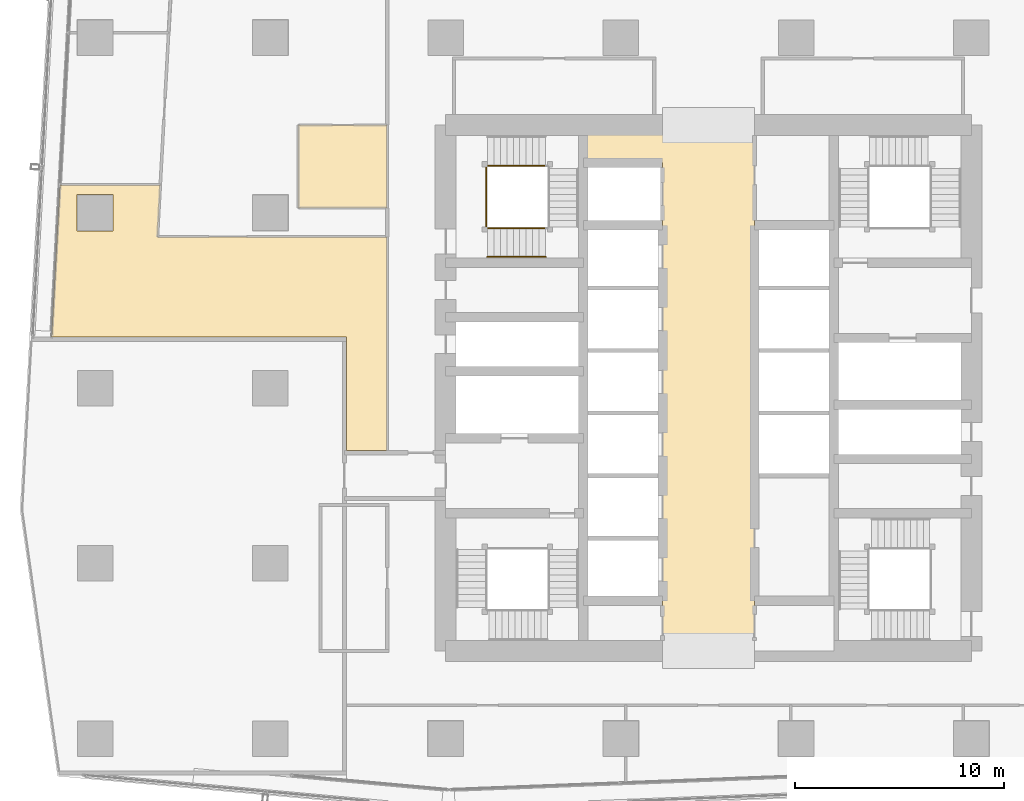
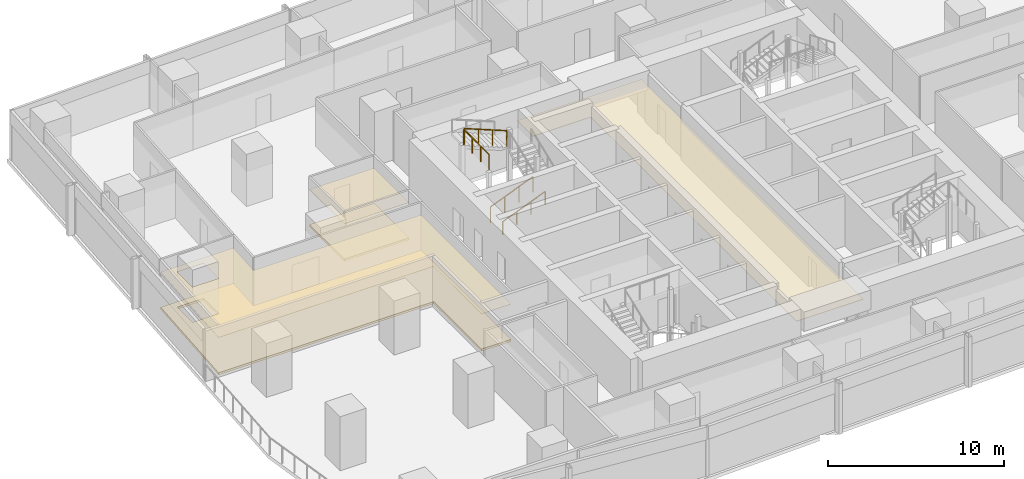
# One storey, part 33 of 38: 5 coverings, 4 railings.
"""IFC4 building model written with IfcOpenShell, lengths in metres."""

from ifc_helpers import new_model, si_unit, direction, frame, origin, origin_2d, place, context, subcontext, project, spatial, polyline, circle, outline, extrude, material, layer, layer_set, type_object, element, save


model = new_model("IFC4")

# Units and contexts
model_context = context("Model", 3, precision=1e-05, world=origin(), true_north=direction((0.0, 1.0)))
body_context = subcontext(model_context, "Body", "Model", "MODEL_VIEW")
ifc_project = project(units=[si_unit("LENGTHUNIT", "METRE"), si_unit("AREAUNIT", "SQUARE_METRE"), si_unit("VOLUMEUNIT", "CUBIC_METRE"), si_unit("PLANEANGLEUNIT", "RADIAN"), si_unit("MASSUNIT", "GRAM", prefix="KILO")], contexts=[model_context])

# Site, building, storey
site_placement = place(None, origin())
site = spatial("IfcSite", under=ifc_project, at=site_placement, CompositionType="ELEMENT")
building_placement = place(site_placement, origin())
building = spatial("IfcBuilding", under=site, at=building_placement, Name="Rekha Terrace Tower", CompositionType="ELEMENT")
storey_placement = place(building_placement, frame((0.0, 0.0, 114.050048828125)))
storey = spatial("IfcBuildingStorey", under=building, at=storey_placement, Name="L28", CompositionType="ELEMENT", Elevation=114.050048828125)

# Coverings
ifc_material_1 = material(Name="Mineral fibre tile in exposed grid", Category="finish")
ifc_layer_1 = layer(ifc_material_1, 0.02001953125)
ifc_layer_set_1 = layer_set([ifc_layer_1], Name="Mineral fibre tile in exposed grid")
covering_type_1 = type_object("IfcCoveringType", Name="CL1 600x1200 office grid ceiling", PredefinedType="CEILING", material=ifc_layer_set_1)
covering_1_placement = place(storey_placement, frame((0.0, 0.0, 2.579833984375)))
element("IfcCovering", 1, at=covering_1_placement, inside=storey, type_object=covering_type_1, Name="Ceiling L28-18", PredefinedType="CEILING", context=body_context, shape_type="SweptSolid", body=[
    extrude(outline(polyline([(20.450927734375, 30.60107421875), (22.39990234375, 30.60107421875), (22.39990234375, 40.843994140625), (11.385986328125, 40.843994140625), (11.52294921875, 43.339111328125), (6.715087890625, 43.339111328125), (6.31494140625, 36.044921875), (11.9970703125, 36.0439453125), (20.450927734375, 36.0439453125), (20.450927734375, 30.60107421875)]), holes=[polyline([(9.264892578125, 41.135009765625), (7.534912109375, 41.135009765625), (7.534912109375, 42.864990234375), (9.264892578125, 42.864990234375), (9.264892578125, 41.135009765625)])]), origin(), (0.0, 0.0, 1.0), 0.02001953125),
])
covering_2_placement = place(storey_placement, frame((0.0, 0.0, 2.579833984375)))
element("IfcCovering", 2, at=covering_2_placement, inside=storey, type_object=covering_type_1, Name="Ceiling L28-19", PredefinedType="CEILING", context=body_context, shape_type="SweptSolid", body=[
    extrude(outline(polyline([(22.39990234375, 46.199951171875), (18.14990234375, 46.199951171875), (18.14990234375, 42.237060546875), (22.39990234375, 42.237060546875), (22.39990234375, 46.199951171875)])), origin(), (0.0, 0.0, 1.0), 0.02001953125),
])
ifc_material_2 = material(Name="Powder-coated aluminium pan", Category="aluminium")
ifc_layer_2 = layer(ifc_material_2, 0.030029296875)
ifc_layer_set_2 = layer_set([ifc_layer_2], Name="Powder-coated aluminium pan")
covering_type_2 = type_object("IfcCoveringType", Name="CL3 300x1200 metal pan ceiling", PredefinedType="CEILING", material=ifc_layer_set_2)
covering_3_placement = place(storey_placement, frame((0.0, 0.0, 2.570068359375)))
element("IfcCovering", 3, at=covering_3_placement, inside=storey, type_object=covering_type_2, Name="Ceiling L28-LOBBY", PredefinedType="CEILING", context=body_context, shape_type="SweptSolid", body=[
    extrude(outline(polyline([(35.60009765625, 44.39990234375), (35.60009765625, 21.0), (40.0, 21.0), (40.0, 46.199951171875), (31.800048828125, 46.199951171875), (31.800048828125, 44.39990234375), (35.60009765625, 44.39990234375)])), origin(), (0.0, 0.0, 1.0), 0.02978515625),
])

# Railings
ifc_material_3 = material(Name="Stainless steel balustrade", Category="steel")
railing_type_1 = type_object("IfcRailingType", Name="GR1 1100 stair guard", PredefinedType="GUARDRAIL", material=ifc_material_3)
railing_1_placement = place(storey_placement, frame((27.199951171875, 41.264892578125, 0.125)))
element("IfcRailing", 4, at=railing_1_placement, inside=storey, type_object=railing_type_1, Name="Guard ST4 L28 flight 1", PredefinedType="GUARDRAIL", context=body_context, shape_type="SweptSolid", body=[
    extrude(circle(Radius=0.02392578125, at=origin_2d()), frame((0.0, 0.0, 1.076171875), z_axis=(0.927443287984, 0.0, 0.373963831907), x_axis=(0.0, 1.0, 0.0)), (0.0, 0.0, 1.0), 3.00830078125),
    extrude(circle(Radius=0.02099609375, at=origin_2d()), origin(), (0.0, 0.0, 1.0), 1.052001953125),
    extrude(circle(Radius=0.02099609375, at=origin_2d()), frame((0.929931640625, 0.0, 0.375)), (0.0, 0.0, 1.0), 1.052001953125),
    extrude(circle(Radius=0.02099609375, at=origin_2d()), frame((1.860107421875, 0.0, 0.75)), (0.0, 0.0, 1.0), 1.052001953125),
    extrude(circle(Radius=0.02099609375, at=origin_2d()), frame((2.7900390625, 0.0, 1.125)), (0.0, 0.0, 1.0), 1.052001953125),
])
railing_2_placement = place(storey_placement, frame((29.989990234375, 44.260009765625, 2.625)))
element("IfcRailing", 5, at=railing_2_placement, inside=storey, type_object=railing_type_1, Name="Guard ST4 L28 flight 3", PredefinedType="GUARDRAIL", context=body_context, shape_type="SweptSolid", body=[
    extrude(circle(Radius=0.02392578125, at=origin_2d()), frame((0.0, 0.0, 1.076171875), z_axis=(-0.927443287984, 0.0, 0.373963831907), x_axis=(0.0, -1.0, 0.0)), (0.0, 0.0, 1.0), 3.00830078125),
    extrude(circle(Radius=0.02099609375, at=origin_2d()), origin(), (0.0, 0.0, 1.0), 1.052001953125),
    extrude(circle(Radius=0.02099609375, at=origin_2d()), frame((-0.929931640625, 0.0, 0.375)), (0.0, 0.0, 1.0), 1.052001953125),
    extrude(circle(Radius=0.02099609375, at=origin_2d()), frame((-1.860107421875, 0.0, 0.75)), (0.0, 0.0, 1.0), 1.052001953125),
    extrude(circle(Radius=0.02099609375, at=origin_2d()), frame((-2.7900390625, 0.0, 1.125)), (0.0, 0.0, 1.0), 1.052001953125),
])
railing_3_placement = place(storey_placement, frame((27.139892578125, 41.324951171875, 3.75)))
element("IfcRailing", 6, at=railing_3_placement, inside=storey, type_object=railing_type_1, Name="Guard ST4 L28 landing 4", PredefinedType="GUARDRAIL", context=body_context, shape_type="SweptSolid", body=[
    extrude(circle(Radius=0.02392578125, at=origin_2d()), frame((0.0, 0.0, 1.076171875), z_axis=(0.0, 1.0, 0.0), x_axis=(-1.0, 0.0, 0.0)), (0.0, 0.0, 1.0), 2.875),
    extrude(circle(Radius=0.02099609375, at=origin_2d()), origin(), (0.0, 0.0, 1.0), 1.052001953125),
    extrude(circle(Radius=0.02099609375, at=origin_2d()), frame((0.0, 0.958251953125, 0.0)), (0.0, 0.0, 1.0), 1.052001953125),
    extrude(circle(Radius=0.02099609375, at=origin_2d()), frame((0.0, 1.916748046875, 0.0)), (0.0, 0.0, 1.0), 1.052001953125),
    extrude(circle(Radius=0.02099609375, at=origin_2d()), frame((0.0, 2.875, 0.0)), (0.0, 0.0, 1.0), 1.052001953125),
])
ifc_material_4 = material(Name="Stainless steel tube", Category="steel")
railing_type_2 = type_object("IfcRailingType", Name="HR1 900 stair handrail", PredefinedType="HANDRAIL", material=ifc_material_4)
railing_4_placement = place(storey_placement, frame((27.199951171875, 39.885009765625, 0.125)))
element("IfcRailing", 7, at=railing_4_placement, inside=storey, type_object=railing_type_2, Name="Handrail ST4 L28 flight 1", PredefinedType="HANDRAIL", context=body_context, shape_type="SweptSolid", body=[
    extrude(circle(Radius=0.02392578125, at=origin_2d()), frame((0.0, 0.0, 0.8759765625), z_axis=(0.927443287984, 0.0, 0.373963831907), x_axis=(0.0, 1.0, 0.0)), (0.0, 0.0, 1.0), 3.00830078125),
    extrude(circle(Radius=0.02099609375, at=origin_2d()), origin(), (0.0, 0.0, 1.0), 0.851806640625),
    extrude(circle(Radius=0.02099609375, at=origin_2d()), frame((0.929931640625, 0.0, 0.375)), (0.0, 0.0, 1.0), 0.851806640625),
    extrude(circle(Radius=0.02099609375, at=origin_2d()), frame((1.860107421875, 0.0, 0.75)), (0.0, 0.0, 1.0), 0.851806640625),
    extrude(circle(Radius=0.02099609375, at=origin_2d()), frame((2.7900390625, 0.0, 1.125)), (0.0, 0.0, 1.0), 0.851806640625),
])

# Coverings
ifc_material_5 = material(Name="Calcium sulphate panels on steel pedestals", Category="steel")
ifc_layer_3 = layer(ifc_material_5, 0.14990234375)
ifc_layer_set_3 = layer_set([ifc_layer_3], Name="Calcium sulphate panels on steel pedestals")
covering_type_3 = type_object("IfcCoveringType", Name="RF1 150 raised access floor", PredefinedType="FLOORING", material=ifc_layer_set_3)
covering_4_placement = place(storey_placement, origin())
element("IfcCovering", 8, at=covering_4_placement, inside=storey, type_object=covering_type_3, Name="Raised floor L28-18", PredefinedType="FLOORING", context=body_context, shape_type="SweptSolid", body=[
    extrude(outline(polyline([(20.450927734375, 30.60107421875), (22.39990234375, 30.60107421875), (22.39990234375, 40.843994140625), (11.385986328125, 40.843994140625), (11.52294921875, 43.339111328125), (6.715087890625, 43.339111328125), (6.31494140625, 36.044921875), (11.9970703125, 36.0439453125), (20.450927734375, 36.0439453125), (20.450927734375, 30.60107421875)]), holes=[polyline([(9.264892578125, 41.135009765625), (7.534912109375, 41.135009765625), (7.534912109375, 42.864990234375), (9.264892578125, 42.864990234375), (9.264892578125, 41.135009765625)])]), origin(), (0.0, 0.0, 1.0), 0.14990234375),
])
covering_5_placement = place(storey_placement, origin())
element("IfcCovering", 9, at=covering_5_placement, inside=storey, type_object=covering_type_3, Name="Raised floor L28-19", PredefinedType="FLOORING", context=body_context, shape_type="SweptSolid", body=[
    extrude(outline(polyline([(22.39990234375, 46.199951171875), (18.14990234375, 46.199951171875), (18.14990234375, 42.237060546875), (22.39990234375, 42.237060546875), (22.39990234375, 46.199951171875)])), origin(), (0.0, 0.0, 1.0), 0.14990234375),
])

save(model, "model.ifc")
